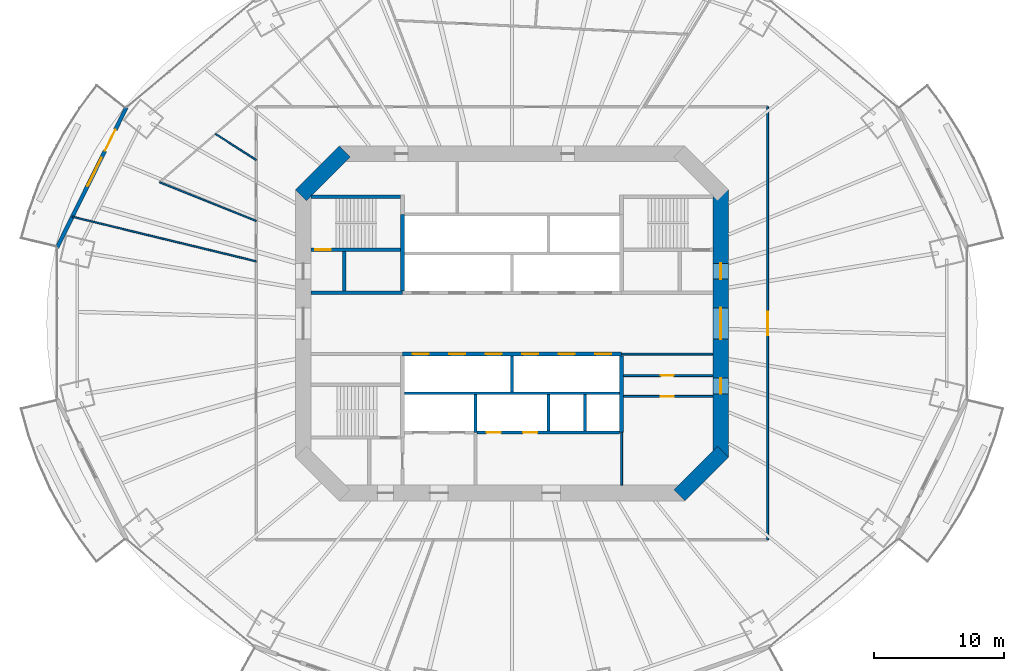
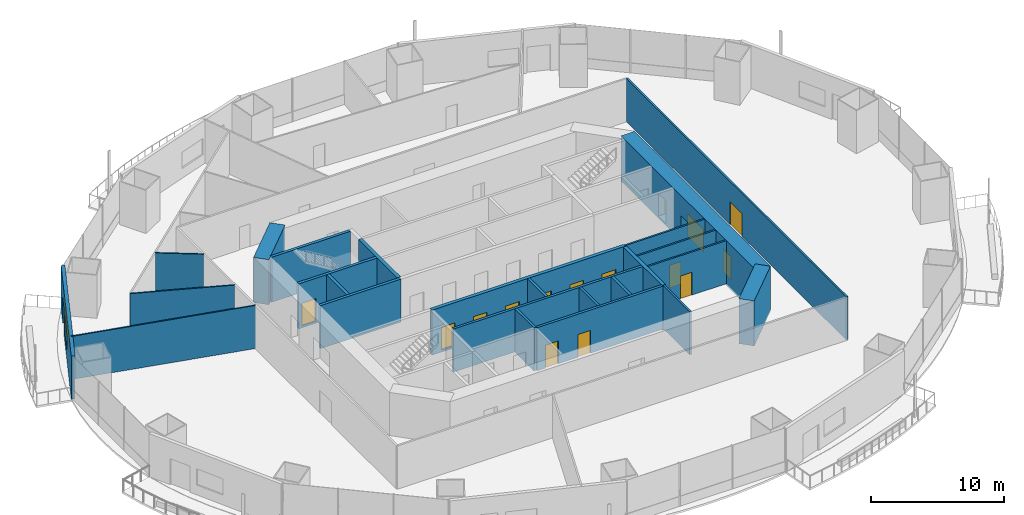
# One storey, part 14 of 22: 25 walls, 16 doors, 1 window, 17 openings.
"""IFC4 building model written with IfcOpenShell, lengths in metres."""

from ifc_helpers import new_model, si_unit, direction, frame, frame_2d, origin, place, context, subcontext, project, spatial, rectangle, extrude, material, layer, layer_set, type_object, element, fill, save


model = new_model("IFC4")

# Units and contexts
model_context = context("Model", 3, precision=1e-05, world=origin(), true_north=direction((0.0, 1.0)))
body_context = subcontext(model_context, "Body", "Model", "MODEL_VIEW")
ifc_project = project(units=[si_unit("LENGTHUNIT", "METRE"), si_unit("AREAUNIT", "SQUARE_METRE"), si_unit("VOLUMEUNIT", "CUBIC_METRE"), si_unit("PLANEANGLEUNIT", "RADIAN"), si_unit("MASSUNIT", "GRAM", prefix="KILO")], contexts=[model_context])

# Site, building, storey
site_placement = place(None, origin())
site = spatial("IfcSite", under=ifc_project, at=site_placement, CompositionType="ELEMENT")
building_placement = place(site_placement, origin())
building = spatial("IfcBuilding", under=site, at=building_placement, Name="Marenthal Gate Tower", CompositionType="ELEMENT")
storey_placement = place(building_placement, frame((0.0, 0.0, 78.64990234375)))
storey = spatial("IfcBuildingStorey", under=building, at=storey_placement, Name="L15", CompositionType="ELEMENT", Elevation=78.64990234375)

# Wall
ifc_material_1 = material(Name="Concrete 60 MPa", Category="concrete")
ifc_layer_1 = layer(ifc_material_1, 1.199951171875)
ifc_layer_set_1 = layer_set([ifc_layer_1], Name="Core shear wall 1200")
wall_type_1 = type_object("IfcWallType", Name="Core shear wall 1200", PredefinedType="SHEAR", material=ifc_layer_set_1)
wall_1_placement = place(storey_placement, frame((12.82421875, -13.17578125, -0.179931640625), z_axis=(0.0, 0.0, 1.0), x_axis=(0.707106781187, 0.707106781187, 0.0)))
element("IfcWall", 1, at=wall_1_placement, inside=storey, type_object=wall_type_1, Name="Core wall 01", PredefinedType="SHEAR", context=body_context, shape_type="SweptSolid", body=[
    extrude(rectangle(XDim=4.73974609375, YDim=1.199951171875, at=frame_2d((2.369873046875, 0.0))), origin(), (0.0, 0.0, 1.0), 4.150146484375),
])

# Wall, openings, doors
wall_2_placement = place(storey_placement, frame((16.0, -10.24853515625, -0.179931640625), z_axis=(0.0, 0.0, 1.0), x_axis=(0.0, 1.0, 0.0)))
wall_2 = element("IfcWall", 2, at=wall_2_placement, inside=storey, type_object=wall_type_1, Name="Core wall 02", PredefinedType="SHEAR", context=body_context, shape_type="SweptSolid", body=[
    extrude(rectangle(XDim=20.4970703125, YDim=1.199951171875, at=frame_2d((10.24853515625, 0.0))), origin(), (0.0, 0.0, 1.0), 4.150146484375),
])
opening_1_placement = place(wall_2_placement, frame((9.048583984375, 0.0, 0.179931640625)))
opening_1 = element("IfcOpeningElement", 3, at=opening_1_placement, cuts=wall_2, Name="Opening D003.02", PredefinedType="OPENING", context=body_context, shape_type="SweptSolid", body=[
    extrude(rectangle(XDim=2.39990234375, YDim=2.10009765625, at=frame_2d((1.199951171875, 1.050048828125))), frame((0.0, 0.60986328125, 0.0), z_axis=(0.0, -1.0, 0.0), x_axis=(1.0, 0.0, 0.0)), (0.0, 0.0, 1.0), 1.219970703125),
])
opening_2_placement = place(wall_2_placement, frame((13.6484375, 0.0, 0.179931640625)))
opening_2 = element("IfcOpeningElement", 4, at=opening_2_placement, cuts=wall_2, Name="Opening D001.05", PredefinedType="OPENING", context=body_context, shape_type="SweptSolid", body=[
    extrude(rectangle(XDim=1.199951171875, YDim=2.10009765625, at=frame_2d((0.60009765625, 1.050048828125))), frame((0.0, 0.60986328125, 0.0), z_axis=(0.0, -1.0, 0.0), x_axis=(1.0, 0.0, 0.0)), (0.0, 0.0, 1.0), 1.219970703125),
])
opening_3_placement = place(wall_2_placement, frame((4.848388671875, 0.0, 0.179931640625)))
opening_3 = element("IfcOpeningElement", 5, at=opening_3_placement, cuts=wall_2, Name="Opening D006.01", PredefinedType="OPENING", context=body_context, shape_type="SweptSolid", body=[
    extrude(rectangle(XDim=1.199951171875, YDim=2.10009765625, at=frame_2d((0.60009765625, 1.050048828125))), frame((0.0, 0.60986328125, 0.0), z_axis=(0.0, -1.0, 0.0), x_axis=(1.0, 0.0, 0.0)), (0.0, 0.0, 1.0), 1.219970703125),
])
ifc_material_2 = material(Name="Steel fire door", Category="steel")
door_type_1 = type_object("IfcDoorType", Name="Double fire door FD 45 2400 x 2100", OperationType="DOUBLE_DOOR_SINGLE_SWING", PredefinedType="DOOR", material=ifc_material_2)
door_1_placement = place(opening_1_placement, origin())
door_1 = element("IfcDoor", 6, at=door_1_placement, inside=storey, type_object=door_type_1, Name="Door D003.02", OperationType="DOUBLE_DOOR_SINGLE_SWING", OverallHeight=2.10009765625, OverallWidth=2.39990234375, PredefinedType="DOOR", context=body_context, shape_type="SweptSolid", body=[
    extrude(rectangle(XDim=2.39990234375, YDim=2.10009765625, at=frame_2d((1.199951171875, 1.050048828125))), frame((0.0, 0.02490234375, 0.0), z_axis=(0.0, -1.0, 0.0), x_axis=(1.0, 0.0, 0.0)), (0.0, 0.0, 1.0), 0.050048828125),
])
fill(opening_1, door_1)
ifc_material_3 = material(Name="Steel fire door", Category="steel")
door_type_2 = type_object("IfcDoorType", Name="Fire door FD 45 1200 x 2100", OperationType="NOTDEFINED", PredefinedType="DOOR", material=ifc_material_3)
door_2_placement = place(opening_3_placement, origin())
door_2 = element("IfcDoor", 7, at=door_2_placement, inside=storey, type_object=door_type_2, Name="Door D006.01", OperationType="SINGLE_SWING_RIGHT", OverallHeight=2.10009765625, OverallWidth=1.199951171875, PredefinedType="DOOR", context=body_context, shape_type="SweptSolid", body=[
    extrude(rectangle(XDim=1.199951171875, YDim=2.10009765625, at=frame_2d((0.60009765625, 1.050048828125))), frame((0.0, 0.02490234375, 0.0), z_axis=(0.0, -1.0, 0.0), x_axis=(1.0, 0.0, 0.0)), (0.0, 0.0, 1.0), 0.050048828125),
])
fill(opening_3, door_2)
ifc_material_4 = material(Name="Steel fire door", Category="steel")
door_type_3 = type_object("IfcDoorType", Name="Fire door FD 90 1200 x 2100", OperationType="NOTDEFINED", PredefinedType="DOOR", material=ifc_material_4)
door_3_placement = place(opening_2_placement, origin())
door_3 = element("IfcDoor", 8, at=door_3_placement, inside=storey, type_object=door_type_3, Name="Door D001.05", OperationType="SINGLE_SWING_RIGHT", OverallHeight=2.10009765625, OverallWidth=1.199951171875, PredefinedType="DOOR", context=body_context, shape_type="SweptSolid", body=[
    extrude(rectangle(XDim=1.199951171875, YDim=2.10009765625, at=frame_2d((0.60009765625, 1.050048828125))), frame((0.0, 0.02490234375, 0.0), z_axis=(0.0, -1.0, 0.0), x_axis=(1.0, 0.0, 0.0)), (0.0, 0.0, 1.0), 0.050048828125),
])
fill(opening_2, door_3)

# Wall
wall_3_placement = place(storey_placement, frame((-12.82421875, 13.17578125, -0.179931640625), z_axis=(0.0, 0.0, 1.0), x_axis=(-0.707106781187, -0.707106781187, 0.0)))
element("IfcWall", 9, at=wall_3_placement, inside=storey, type_object=wall_type_1, Name="Core wall 05", PredefinedType="SHEAR", context=body_context, shape_type="SweptSolid", body=[
    extrude(rectangle(XDim=4.73974609375, YDim=1.199951171875, at=frame_2d((2.369873046875, 0.0))), origin(), (0.0, 0.0, 1.0), 4.150146484375),
])

# Wall, openings, doors
ifc_material_5 = material(Name="Concrete 50 MPa", Category="concrete")
ifc_layer_2 = layer(ifc_material_5, 0.300048828125)
ifc_layer_set_2 = layer_set([ifc_layer_2], Name="Hoistway shear wall 300")
wall_type_2 = type_object("IfcWallType", Name="Hoistway shear wall 300", PredefinedType="SHEAR", material=ifc_layer_set_2)
wall_4_placement = place(storey_placement, frame((-8.39990234375, -2.35009765625, -0.179931640625), z_axis=(0.0, 0.0, 1.0), x_axis=(1.0, 0.0, 0.0)))
wall_4 = element("IfcWall", 10, at=wall_4_placement, inside=storey, type_object=wall_type_2, Name="Hoistway wall 17", PredefinedType="SHEAR", context=body_context, shape_type="SweptSolid", body=[
    extrude(rectangle(XDim=16.7998046875, YDim=0.300048828125, at=frame_2d((8.39990234375, 0.0))), origin(), (0.0, 0.0, 1.0), 4.150146484375),
])
opening_4_placement = place(wall_4_placement, frame((0.800048828125, 0.0, 0.179931640625)))
opening_4 = element("IfcOpeningElement", 11, at=opening_4_placement, cuts=wall_4, Name="Opening LD-LP7", PredefinedType="OPENING", context=body_context, shape_type="SweptSolid", body=[
    extrude(rectangle(XDim=1.199951171875, YDim=2.10009765625, at=frame_2d((0.60009765625, 1.050048828125))), frame((0.0, 0.16015625, 0.0), z_axis=(0.0, -1.0, 0.0), x_axis=(1.0, 0.0, 0.0)), (0.0, 0.0, 1.0), 0.320068359375),
])
opening_5_placement = place(wall_4_placement, frame((3.60009765625, 0.0, 0.179931640625)))
opening_5 = element("IfcOpeningElement", 12, at=opening_5_placement, cuts=wall_4, Name="Opening LD-LP8", PredefinedType="OPENING", context=body_context, shape_type="SweptSolid", body=[
    extrude(rectangle(XDim=1.199951171875, YDim=2.10009765625, at=frame_2d((0.60009765625, 1.050048828125))), frame((0.0, 0.16015625, 0.0), z_axis=(0.0, -1.0, 0.0), x_axis=(1.0, 0.0, 0.0)), (0.0, 0.0, 1.0), 0.320068359375),
])
opening_6_placement = place(wall_4_placement, frame((6.39990234375, 0.0, 0.179931640625)))
opening_6 = element("IfcOpeningElement", 13, at=opening_6_placement, cuts=wall_4, Name="Opening LD-LP9", PredefinedType="OPENING", context=body_context, shape_type="SweptSolid", body=[
    extrude(rectangle(XDim=1.199951171875, YDim=2.10009765625, at=frame_2d((0.60009765625, 1.050048828125))), frame((0.0, 0.16015625, 0.0), z_axis=(0.0, -1.0, 0.0), x_axis=(1.0, 0.0, 0.0)), (0.0, 0.0, 1.0), 0.320068359375),
])
opening_7_placement = place(wall_4_placement, frame((9.199951171875, 0.0, 0.179931640625)))
opening_7 = element("IfcOpeningElement", 14, at=opening_7_placement, cuts=wall_4, Name="Opening LD-LP10", PredefinedType="OPENING", context=body_context, shape_type="SweptSolid", body=[
    extrude(rectangle(XDim=1.199951171875, YDim=2.10009765625, at=frame_2d((0.60009765625, 1.050048828125))), frame((0.0, 0.16015625, 0.0), z_axis=(0.0, -1.0, 0.0), x_axis=(1.0, 0.0, 0.0)), (0.0, 0.0, 1.0), 0.320068359375),
])
opening_8_placement = place(wall_4_placement, frame((12.0, 0.0, 0.179931640625)))
opening_8 = element("IfcOpeningElement", 15, at=opening_8_placement, cuts=wall_4, Name="Opening LD-LP11", PredefinedType="OPENING", context=body_context, shape_type="SweptSolid", body=[
    extrude(rectangle(XDim=1.199951171875, YDim=2.10009765625, at=frame_2d((0.60009765625, 1.050048828125))), frame((0.0, 0.16015625, 0.0), z_axis=(0.0, -1.0, 0.0), x_axis=(1.0, 0.0, 0.0)), (0.0, 0.0, 1.0), 0.320068359375),
])
opening_9_placement = place(wall_4_placement, frame((14.800048828125, 0.0, 0.179931640625)))
opening_9 = element("IfcOpeningElement", 16, at=opening_9_placement, cuts=wall_4, Name="Opening LD-LP12", PredefinedType="OPENING", context=body_context, shape_type="SweptSolid", body=[
    extrude(rectangle(XDim=1.199951171875, YDim=2.10009765625, at=frame_2d((0.60009765625, 1.050048828125))), frame((0.0, 0.16015625, 0.0), z_axis=(0.0, -1.0, 0.0), x_axis=(1.0, 0.0, 0.0)), (0.0, 0.0, 1.0), 0.320068359375),
])
ifc_material_6 = material(Name="Stainless steel sliding door", Category="steel")
door_type_4 = type_object("IfcDoorType", Name="Lift landing door FD 90 1200 x 2100", OperationType="DOUBLE_DOOR_SLIDING", PredefinedType="DOOR", material=ifc_material_6)
door_4_placement = place(opening_4_placement, origin())
door_4 = element("IfcDoor", 17, at=door_4_placement, inside=storey, type_object=door_type_4, Name="Lift landing door LP7", OperationType="DOUBLE_DOOR_SLIDING", OverallHeight=2.10009765625, OverallWidth=1.199951171875, PredefinedType="DOOR", context=body_context, shape_type="SweptSolid", body=[
    extrude(rectangle(XDim=1.199951171875, YDim=2.10009765625, at=frame_2d((0.60009765625, 1.050048828125))), frame((0.0, 0.02490234375, 0.0), z_axis=(0.0, -1.0, 0.0), x_axis=(1.0, 0.0, 0.0)), (0.0, 0.0, 1.0), 0.050048828125),
])
fill(opening_4, door_4)
door_5_placement = place(opening_5_placement, origin())
door_5 = element("IfcDoor", 18, at=door_5_placement, inside=storey, type_object=door_type_4, Name="Lift landing door LP8", OperationType="DOUBLE_DOOR_SLIDING", OverallHeight=2.10009765625, OverallWidth=1.199951171875, PredefinedType="DOOR", context=body_context, shape_type="SweptSolid", body=[
    extrude(rectangle(XDim=1.199951171875, YDim=2.10009765625, at=frame_2d((0.60009765625, 1.050048828125))), frame((0.0, 0.02490234375, 0.0), z_axis=(0.0, -1.0, 0.0), x_axis=(1.0, 0.0, 0.0)), (0.0, 0.0, 1.0), 0.050048828125),
])
fill(opening_5, door_5)
door_6_placement = place(opening_6_placement, origin())
door_6 = element("IfcDoor", 19, at=door_6_placement, inside=storey, type_object=door_type_4, Name="Lift landing door LP9", OperationType="DOUBLE_DOOR_SLIDING", OverallHeight=2.10009765625, OverallWidth=1.199951171875, PredefinedType="DOOR", context=body_context, shape_type="SweptSolid", body=[
    extrude(rectangle(XDim=1.199951171875, YDim=2.10009765625, at=frame_2d((0.60009765625, 1.050048828125))), frame((0.0, 0.02490234375, 0.0), z_axis=(0.0, -1.0, 0.0), x_axis=(1.0, 0.0, 0.0)), (0.0, 0.0, 1.0), 0.050048828125),
])
fill(opening_6, door_6)
door_7_placement = place(opening_7_placement, origin())
door_7 = element("IfcDoor", 20, at=door_7_placement, inside=storey, type_object=door_type_4, Name="Lift landing door LP10", OperationType="DOUBLE_DOOR_SLIDING", OverallHeight=2.10009765625, OverallWidth=1.199951171875, PredefinedType="DOOR", context=body_context, shape_type="SweptSolid", body=[
    extrude(rectangle(XDim=1.199951171875, YDim=2.10009765625, at=frame_2d((0.60009765625, 1.050048828125))), frame((0.0, 0.02490234375, 0.0), z_axis=(0.0, -1.0, 0.0), x_axis=(1.0, 0.0, 0.0)), (0.0, 0.0, 1.0), 0.050048828125),
])
fill(opening_7, door_7)
door_8_placement = place(opening_8_placement, origin())
door_8 = element("IfcDoor", 21, at=door_8_placement, inside=storey, type_object=door_type_4, Name="Lift landing door LP11", OperationType="DOUBLE_DOOR_SLIDING", OverallHeight=2.10009765625, OverallWidth=1.199951171875, PredefinedType="DOOR", context=body_context, shape_type="SweptSolid", body=[
    extrude(rectangle(XDim=1.199951171875, YDim=2.10009765625, at=frame_2d((0.60009765625, 1.050048828125))), frame((0.0, 0.02490234375, 0.0), z_axis=(0.0, -1.0, 0.0), x_axis=(1.0, 0.0, 0.0)), (0.0, 0.0, 1.0), 0.050048828125),
])
fill(opening_8, door_8)
door_9_placement = place(opening_9_placement, origin())
door_9 = element("IfcDoor", 22, at=door_9_placement, inside=storey, type_object=door_type_4, Name="Lift landing door LP12", OperationType="DOUBLE_DOOR_SLIDING", OverallHeight=2.10009765625, OverallWidth=1.199951171875, PredefinedType="DOOR", context=body_context, shape_type="SweptSolid", body=[
    extrude(rectangle(XDim=1.199951171875, YDim=2.10009765625, at=frame_2d((0.60009765625, 1.050048828125))), frame((0.0, 0.02490234375, 0.0), z_axis=(0.0, -1.0, 0.0), x_axis=(1.0, 0.0, 0.0)), (0.0, 0.0, 1.0), 0.050048828125),
])
fill(opening_9, door_9)

# Walls
for number, where, z_axis, x_axis, name in (
    (23, (-8.39990234375, 2.5, -0.179931640625), (0.0, 0.0, 1.0), (0.0, 1.0, 0.0), "Hoistway wall 32"),
    (24, (8.39990234375, -8.35009765625, -0.179931640625), (0.0, 0.0, 1.0), (0.0, 1.0, 0.0), "Hoistway wall 43"),
):
    element("IfcWall", number, at=place(storey_placement, frame(where, z_axis=z_axis, x_axis=x_axis)), inside=storey, type_object=wall_type_2, Name=name, PredefinedType="SHEAR", context=body_context, shape_type="SweptSolid", body=[
        extrude(rectangle(XDim=5.85009765625, YDim=0.300048828125, at=frame_2d((2.925048828125, 0.0))), origin(), (0.0, 0.0, 1.0), 4.150146484375),
    ])

# Wall, openings, doors
ifc_material_7 = material(Name="Concrete 40 MPa", Category="concrete")
ifc_layer_3 = layer(ifc_material_7, 0.219970703125)
ifc_layer_set_3 = layer_set([ifc_layer_3], Name="Hoistway wall 220")
wall_type_3 = type_object("IfcWallType", Name="Hoistway wall 220", PredefinedType="STANDARD", material=ifc_layer_set_3)
wall_5_placement = place(storey_placement, frame((-2.68994140625, -8.35009765625, 0.0), z_axis=(0.0, 0.0, 1.0), x_axis=(1.0, 0.0, 0.0)))
wall_5 = element("IfcWall", 25, at=wall_5_placement, inside=storey, type_object=wall_type_3, Name="Hoistway wall 11", PredefinedType="STANDARD", context=body_context, shape_type="SweptSolid", body=[
    extrude(rectangle(XDim=10.93994140625, YDim=0.219970703125, at=frame_2d((5.469970703125, 0.0))), origin(), (0.0, 0.0, 1.0), 3.97021484375),
])
opening_10_placement = place(wall_5_placement, frame((0.739990234375, 0.0, 0.0)))
opening_10 = element("IfcOpeningElement", 26, at=opening_10_placement, cuts=wall_5, Name="Opening LD-SV1", PredefinedType="OPENING", context=body_context, shape_type="SweptSolid", body=[
    extrude(rectangle(XDim=1.10009765625, YDim=2.10009765625, at=frame_2d((0.550048828125, 1.050048828125))), frame((0.0, 0.1201171875, 0.0), z_axis=(0.0, -1.0, 0.0), x_axis=(1.0, 0.0, 0.0)), (0.0, 0.0, 1.0), 0.239990234375),
])
opening_11_placement = place(wall_5_placement, frame((3.5400390625, 0.0, 0.0)))
opening_11 = element("IfcOpeningElement", 27, at=opening_11_placement, cuts=wall_5, Name="Opening LD-SV2", PredefinedType="OPENING", context=body_context, shape_type="SweptSolid", body=[
    extrude(rectangle(XDim=1.10009765625, YDim=2.10009765625, at=frame_2d((0.550048828125, 1.050048828125))), frame((0.0, 0.1201171875, 0.0), z_axis=(0.0, -1.0, 0.0), x_axis=(1.0, 0.0, 0.0)), (0.0, 0.0, 1.0), 0.239990234375),
])
ifc_material_8 = material(Name="Stainless steel sliding door", Category="steel")
door_type_5 = type_object("IfcDoorType", Name="Lift landing door FD 90 1100 x 2100", OperationType="DOUBLE_DOOR_SLIDING", PredefinedType="DOOR", material=ifc_material_8)
door_10_placement = place(opening_10_placement, origin())
door_10 = element("IfcDoor", 28, at=door_10_placement, inside=storey, type_object=door_type_5, Name="Lift landing door SV1", OperationType="DOUBLE_DOOR_SLIDING", OverallHeight=2.10009765625, OverallWidth=1.10009765625, PredefinedType="DOOR", context=body_context, shape_type="SweptSolid", body=[
    extrude(rectangle(XDim=1.10009765625, YDim=2.10009765625, at=frame_2d((0.550048828125, 1.050048828125))), frame((0.0, 0.02490234375, 0.0), z_axis=(0.0, -1.0, 0.0), x_axis=(1.0, 0.0, 0.0)), (0.0, 0.0, 1.0), 0.050048828125),
])
fill(opening_10, door_10)
door_11_placement = place(opening_11_placement, origin())
door_11 = element("IfcDoor", 29, at=door_11_placement, inside=storey, type_object=door_type_5, Name="Lift landing door SV2", OperationType="DOUBLE_DOOR_SLIDING", OverallHeight=2.10009765625, OverallWidth=1.10009765625, PredefinedType="DOOR", context=body_context, shape_type="SweptSolid", body=[
    extrude(rectangle(XDim=1.10009765625, YDim=2.10009765625, at=frame_2d((0.550048828125, 1.050048828125))), frame((0.0, 0.02490234375, 0.0), z_axis=(0.0, -1.0, 0.0), x_axis=(1.0, 0.0, 0.0)), (0.0, 0.0, 1.0), 0.050048828125),
])
fill(opening_11, door_11)

# Walls
wall_6_placement = place(storey_placement, frame((-8.25, -5.35009765625, 0.0), z_axis=(0.0, 0.0, 1.0), x_axis=(1.0, 0.0, 0.0)))
element("IfcWall", 30, at=wall_6_placement, inside=storey, type_object=wall_type_3, Name="Hoistway wall 13", PredefinedType="STANDARD", context=body_context, shape_type="SweptSolid", body=[
    extrude(rectangle(XDim=16.5, YDim=0.219970703125, at=frame_2d((8.25, 0.0))), origin(), (0.0, 0.0, 1.0), 3.97021484375),
])
wall_7_placement = place(storey_placement, frame((-2.800048828125, -8.35009765625, 0.0), z_axis=(0.0, 0.0, 1.0), x_axis=(0.0, 1.0, 0.0)))
element("IfcWall", 31, at=wall_7_placement, inside=storey, type_object=wall_type_3, Name="Hoistway wall 36", PredefinedType="STANDARD", context=body_context, shape_type="SweptSolid", body=[
    extrude(rectangle(XDim=2.89013671875, YDim=0.219970703125, at=frame_2d((1.445068359375, 0.0))), origin(), (0.0, 0.0, 1.0), 3.97021484375),
])
wall_8_placement = place(storey_placement, frame((0.0, -5.239990234375, 0.0), z_axis=(0.0, 0.0, 1.0), x_axis=(0.0, 1.0, 0.0)))
element("IfcWall", 32, at=wall_8_placement, inside=storey, type_object=wall_type_3, Name="Hoistway wall 37", PredefinedType="STANDARD", context=body_context, shape_type="SweptSolid", body=[
    extrude(rectangle(XDim=2.739990234375, YDim=0.219970703125, at=frame_2d((1.3701171875, 0.0))), origin(), (0.0, 0.0, 1.0), 3.97021484375),
])
for number, where, z_axis, x_axis, name in (
    (33, (2.800048828125, -8.239990234375, 0.0), (0.0, 0.0, 1.0), (0.0, 1.0, 0.0), "Hoistway wall 39"),
    (34, (5.60009765625, -8.239990234375, 0.0), (0.0, 0.0, 1.0), (0.0, 1.0, 0.0), "Hoistway wall 41"),
):
    element("IfcWall", number, at=place(storey_placement, frame(where, z_axis=z_axis, x_axis=x_axis)), inside=storey, type_object=wall_type_3, Name=name, PredefinedType="STANDARD", context=body_context, shape_type="SweptSolid", body=[
        extrude(rectangle(XDim=2.780029296875, YDim=0.219970703125, at=frame_2d((1.39013671875, 0.0))), origin(), (0.0, 0.0, 1.0), 3.97021484375),
    ])
ifc_material_9 = material(Name="Gypsum board on steel studs", Category="steel")
ifc_layer_4 = layer(ifc_material_9, 0.1201171875)
ifc_layer_set_4 = layer_set([ifc_layer_4], Name="Partition 120")
wall_type_4 = type_object("IfcWallType", Name="Partition 120", PredefinedType="PARTITIONING", material=ifc_layer_set_4)
wall_9_placement = place(storey_placement, frame((-27.022705078125, 10.81884765625, 0.0), z_axis=(0.0, 0.0, 1.0), x_axis=(0.928362929912, -0.371674952567, 0.0)))
element("IfcWall", 35, at=wall_9_placement, inside=storey, type_object=wall_type_4, Name="Partition wall 47", PredefinedType="PARTITIONING", context=body_context, shape_type="SweptSolid", body=[
    extrude(rectangle(XDim=7.995361328125, YDim=0.1201171875, at=frame_2d((3.99755859375, 0.0))), origin(), (0.0, 0.0, 1.0), 3.97021484375),
])
wall_10_placement = place(storey_placement, frame((-22.728515625, 14.52392578125, 0.0), z_axis=(0.0, 0.0, 1.0), x_axis=(0.842658134486, -0.538448946869, 0.0)))
element("IfcWall", 36, at=wall_10_placement, inside=storey, type_object=wall_type_4, Name="Partition wall 48", PredefinedType="PARTITIONING", context=body_context, shape_type="SweptSolid", body=[
    extrude(rectangle(XDim=3.712646484375, YDim=0.1201171875, at=frame_2d((1.8564453125, 0.0))), origin(), (0.0, 0.0, 1.0), 3.97021484375),
])
wall_11_placement = place(storey_placement, frame((-19.60009765625, 4.755126953125, 0.0), z_axis=(0.0, 0.0, 1.0), x_axis=(-0.971812383282, 0.235755576178, 0.0)))
element("IfcWall", 37, at=wall_11_placement, inside=storey, type_object=wall_type_4, Name="Partition wall 50", PredefinedType="PARTITIONING", context=body_context, shape_type="SweptSolid", body=[
    extrude(rectangle(XDim=14.50927734375, YDim=0.1201171875, at=frame_2d((7.254638671875, 0.0))), origin(), (0.0, 0.0, 1.0), 3.97021484375),
])

# Wall, opening, door
ifc_material_10 = material(Name="Gypsum board on steel studs", Category="steel")
ifc_layer_5 = layer(ifc_material_10, 0.14990234375)
ifc_layer_set_5 = layer_set([ifc_layer_5], Name="Partition 150")
wall_type_5 = type_object("IfcWallType", Name="Partition 150", PredefinedType="PARTITIONING", material=ifc_layer_set_5)
wall_12_placement = place(storey_placement, frame((8.550048828125, -5.60009765625, 0.0), z_axis=(0.0, 0.0, 1.0), x_axis=(1.0, 0.0, 0.0)))
wall_12 = element("IfcWall", 38, at=wall_12_placement, inside=storey, type_object=wall_type_5, Name="Partition wall 12", PredefinedType="PARTITIONING", context=body_context, shape_type="SweptSolid", body=[
    extrude(rectangle(XDim=6.849853515625, YDim=0.14990234375, at=frame_2d((3.4248046875, 0.0))), origin(), (0.0, 0.0, 1.0), 3.97021484375),
])
opening_12_placement = place(wall_12_placement, frame((2.85009765625, 0.0, 0.0)))
opening_12 = element("IfcOpeningElement", 39, at=opening_12_placement, cuts=wall_12, Name="Opening D005.04", PredefinedType="OPENING", context=body_context, shape_type="SweptSolid", body=[
    extrude(rectangle(XDim=1.0, YDim=2.10009765625, at=frame_2d((0.5, 1.050048828125))), frame((0.0, 0.0849609375, 0.0), z_axis=(0.0, -1.0, 0.0), x_axis=(1.0, 0.0, 0.0)), (0.0, 0.0, 1.0), 0.169921875),
])
ifc_material_11 = material(Name="Steel fire door", Category="steel")
door_type_6 = type_object("IfcDoorType", Name="Fire door FD 45 1000 x 2100", OperationType="NOTDEFINED", PredefinedType="DOOR", material=ifc_material_11)
door_12_placement = place(opening_12_placement, frame((1.0, 0.0, 0.0), z_axis=(0.0, 0.0, 1.0), x_axis=(-1.0, 0.0, 0.0)))
door_12 = element("IfcDoor", 40, at=door_12_placement, inside=storey, type_object=door_type_6, Name="Door D005.04", OperationType="SINGLE_SWING_LEFT", OverallHeight=2.10009765625, OverallWidth=1.0, PredefinedType="DOOR", context=body_context, shape_type="SweptSolid", body=[
    extrude(rectangle(XDim=1.0, YDim=2.10009765625, at=frame_2d((0.5, 1.050048828125))), frame((0.0, 0.02490234375, 0.0), z_axis=(0.0, -1.0, 0.0), x_axis=(1.0, 0.0, 0.0)), (0.0, 0.0, 1.0), 0.050048828125),
])
fill(opening_12, door_12)

wall_13_placement = place(storey_placement, frame((8.550048828125, -4.0, 0.0), z_axis=(0.0, 0.0, 1.0), x_axis=(1.0, 0.0, 0.0)))
wall_13 = element("IfcWall", 41, at=wall_13_placement, inside=storey, type_object=wall_type_5, Name="Partition wall 15", PredefinedType="PARTITIONING", context=body_context, shape_type="SweptSolid", body=[
    extrude(rectangle(XDim=6.849853515625, YDim=0.14990234375, at=frame_2d((3.4248046875, 0.0))), origin(), (0.0, 0.0, 1.0), 3.97021484375),
])
opening_13_placement = place(wall_13_placement, frame((2.85009765625, 0.0, 0.0)))
opening_13 = element("IfcOpeningElement", 42, at=opening_13_placement, cuts=wall_13, Name="Opening D005.03", PredefinedType="OPENING", context=body_context, shape_type="SweptSolid", body=[
    extrude(rectangle(XDim=1.0, YDim=2.10009765625, at=frame_2d((0.5, 1.050048828125))), frame((0.0, 0.0849609375, 0.0), z_axis=(0.0, -1.0, 0.0), x_axis=(1.0, 0.0, 0.0)), (0.0, 0.0, 1.0), 0.169921875),
])
door_13_placement = place(opening_13_placement, origin())
door_13 = element("IfcDoor", 43, at=door_13_placement, inside=storey, type_object=door_type_6, Name="Door D005.03", OperationType="SINGLE_SWING_RIGHT", OverallHeight=2.10009765625, OverallWidth=1.0, PredefinedType="DOOR", context=body_context, shape_type="SweptSolid", body=[
    extrude(rectangle(XDim=1.0, YDim=2.10009765625, at=frame_2d((0.5, 1.050048828125))), frame((0.0, 0.02490234375, 0.0), z_axis=(0.0, -1.0, 0.0), x_axis=(1.0, 0.0, 0.0)), (0.0, 0.0, 1.0), 0.050048828125),
])
fill(opening_13, door_13)

# Walls
wall_14_placement = place(storey_placement, frame((8.39990234375, -2.35009765625, 0.0), z_axis=(0.0, 0.0, 1.0), x_axis=(1.0, 0.0, 0.0)))
element("IfcWall", 44, at=wall_14_placement, inside=storey, type_object=wall_type_5, Name="Partition wall 18", PredefinedType="PARTITIONING", context=body_context, shape_type="SweptSolid", body=[
    extrude(rectangle(XDim=7.0, YDim=0.14990234375, at=frame_2d((3.5, 0.0))), origin(), (0.0, 0.0, 1.0), 3.97021484375),
])
wall_15_placement = place(storey_placement, frame((8.39990234375, -12.39990234375, 0.0), z_axis=(0.0, 0.0, 1.0), x_axis=(0.0, 1.0, 0.0)))
element("IfcWall", 45, at=wall_15_placement, inside=storey, type_object=wall_type_5, Name="Partition wall 42", PredefinedType="PARTITIONING", context=body_context, shape_type="SweptSolid", body=[
    extrude(rectangle(XDim=4.0498046875, YDim=0.14990234375, at=frame_2d((2.02490234375, 0.0))), origin(), (0.0, 0.0, 1.0), 3.97021484375),
])

# Wall, opening, door
wall_16_placement = place(storey_placement, frame((19.60009765625, 16.60009765625, 0.0), z_axis=(0.0, 0.0, 1.0), x_axis=(0.0, -1.0, 0.0)))
wall_16 = element("IfcWall", 46, at=wall_16_placement, inside=storey, type_object=wall_type_5, Name="Partition wall 61", PredefinedType="PARTITIONING", context=body_context, shape_type="SweptSolid", body=[
    extrude(rectangle(XDim=33.2001953125, YDim=0.14990234375, at=frame_2d((16.60009765625, 0.0))), origin(), (0.0, 0.0, 1.0), 3.97021484375),
])
opening_14_placement = place(wall_16_placement, frame((15.699951171875, 0.0, 0.0)))
opening_14 = element("IfcOpeningElement", 47, at=opening_14_placement, cuts=wall_16, Name="Opening D014.03", PredefinedType="OPENING", context=body_context, shape_type="SweptSolid", body=[
    extrude(rectangle(XDim=1.800048828125, YDim=2.10009765625, at=frame_2d((0.89990234375, 1.050048828125))), frame((0.0, 0.0849609375, 0.0), z_axis=(0.0, -1.0, 0.0), x_axis=(1.0, 0.0, 0.0)), (0.0, 0.0, 1.0), 0.169921875),
])
ifc_material_12 = material(Name="Timber door", Category="wood")
door_type_7 = type_object("IfcDoorType", Name="Double door 1800 x 2100", OperationType="DOUBLE_DOOR_SINGLE_SWING", PredefinedType="DOOR", material=ifc_material_12)
door_14_placement = place(opening_14_placement, origin())
door_14 = element("IfcDoor", 48, at=door_14_placement, inside=storey, type_object=door_type_7, Name="Door D014.03", OperationType="DOUBLE_DOOR_SINGLE_SWING", OverallHeight=2.10009765625, OverallWidth=1.800048828125, PredefinedType="DOOR", context=body_context, shape_type="SweptSolid", body=[
    extrude(rectangle(XDim=1.800048828125, YDim=2.10009765625, at=frame_2d((0.89990234375, 1.050048828125))), frame((0.0, 0.02490234375, 0.0), z_axis=(0.0, -1.0, 0.0), x_axis=(1.0, 0.0, 0.0)), (0.0, 0.0, 1.0), 0.050048828125),
])
fill(opening_14, door_14)

# Walls
ifc_material_13 = material(Name="Concrete 40 MPa", Category="concrete")
ifc_layer_6 = layer(ifc_material_13, 0.25)
ifc_layer_set_6 = layer_set([ifc_layer_6], Name="Stair enclosure wall 250")
wall_type_6 = type_object("IfcWallType", Name="Stair enclosure wall 250", PredefinedType="STANDARD", material=ifc_layer_set_6)
wall_17_placement = place(storey_placement, frame((-15.39990234375, 2.35009765625, 0.0), z_axis=(0.0, 0.0, 1.0), x_axis=(1.0, 0.0, 0.0)))
element("IfcWall", 49, at=wall_17_placement, inside=storey, type_object=wall_type_6, Name="Stair wall 19", PredefinedType="STANDARD", context=body_context, shape_type="SweptSolid", body=[
    extrude(rectangle(XDim=7.0, YDim=0.25, at=frame_2d((3.5, 0.0))), origin(), (0.0, 0.0, 1.0), 3.97021484375),
])
wall_18_placement = place(storey_placement, frame((-12.85009765625, 2.47509765625, 0.0), z_axis=(0.0, 0.0, 1.0), x_axis=(0.0, 1.0, 0.0)))
element("IfcWall", 50, at=wall_18_placement, inside=storey, type_object=wall_type_6, Name="Stair wall 28", PredefinedType="STANDARD", context=body_context, shape_type="SweptSolid", body=[
    extrude(rectangle(XDim=3.0498046875, YDim=0.25, at=frame_2d((1.52490234375, 0.0))), origin(), (0.0, 0.0, 1.0), 3.97021484375),
])

# Wall, opening, door
ifc_material_14 = material(Name="Concrete 50 MPa", Category="concrete")
ifc_layer_7 = layer(ifc_material_14, 0.25)
ifc_layer_set_7 = layer_set([ifc_layer_7], Name="Stair shear wall 250")
wall_type_7 = type_object("IfcWallType", Name="Stair shear wall 250", PredefinedType="SHEAR", material=ifc_layer_set_7)
wall_19_placement = place(storey_placement, frame((-15.39990234375, 5.64990234375, -0.179931640625), z_axis=(0.0, 0.0, 1.0), x_axis=(1.0, 0.0, 0.0)))
wall_19 = element("IfcWall", 51, at=wall_19_placement, inside=storey, type_object=wall_type_7, Name="Stair wall 23", PredefinedType="SHEAR", context=body_context, shape_type="SweptSolid", body=[
    extrude(rectangle(XDim=6.849853515625, YDim=0.25, at=frame_2d((3.4248046875, 0.0))), origin(), (0.0, 0.0, 1.0), 4.150146484375),
])
opening_15_placement = place(wall_19_placement, frame((0.300048828125, 0.0, 0.179931640625)))
opening_15 = element("IfcOpeningElement", 52, at=opening_15_placement, cuts=wall_19, Name="Opening D001.01", PredefinedType="OPENING", context=body_context, shape_type="SweptSolid", body=[
    extrude(rectangle(XDim=1.199951171875, YDim=2.10009765625, at=frame_2d((0.60009765625, 1.050048828125))), frame((0.0, 0.135009765625, 0.0), z_axis=(0.0, -1.0, 0.0), x_axis=(1.0, 0.0, 0.0)), (0.0, 0.0, 1.0), 0.27001953125),
])
door_15_placement = place(opening_15_placement, origin())
door_15 = element("IfcDoor", 53, at=door_15_placement, inside=storey, type_object=door_type_3, Name="Door D001.01", OperationType="SINGLE_SWING_RIGHT", OverallHeight=2.10009765625, OverallWidth=1.199951171875, PredefinedType="DOOR", context=body_context, shape_type="SweptSolid", body=[
    extrude(rectangle(XDim=1.199951171875, YDim=2.10009765625, at=frame_2d((0.60009765625, 1.050048828125))), frame((0.0, 0.02490234375, 0.0), z_axis=(0.0, -1.0, 0.0), x_axis=(1.0, 0.0, 0.0)), (0.0, 0.0, 1.0), 0.050048828125),
])
fill(opening_15, door_15)

# Wall
wall_20_placement = place(storey_placement, frame((-15.39990234375, 9.699951171875, -0.179931640625), z_axis=(0.0, 0.0, 1.0), x_axis=(1.0, 0.0, 0.0)))
element("IfcWall", 54, at=wall_20_placement, inside=storey, type_object=wall_type_7, Name="Stair wall 26", PredefinedType="SHEAR", context=body_context, shape_type="SweptSolid", body=[
    extrude(rectangle(XDim=6.849853515625, YDim=0.25, at=frame_2d((3.4248046875, 0.0))), origin(), (0.0, 0.0, 1.0), 4.150146484375),
])

# Wall, openings, door, window
ifc_material_15 = material(Name="Terracotta cladding on insulated concrete-block backing", Category="masonry")
ifc_layer_8 = layer(ifc_material_15, 0.300048828125)
ifc_layer_set_8 = layer_set([ifc_layer_8], Name="Terracotta facade wall 300")
wall_type_8 = type_object("IfcWallType", Name="Terracotta facade wall 300", PredefinedType="SOLIDWALL", material=ifc_layer_set_8)
wall_21_placement = place(storey_placement, frame((-29.561279296875, 16.547119140625, 0.0), z_axis=(0.0, 0.0, 1.0), x_axis=(-0.443222110109, -0.896411825619, 0.0)))
wall_21 = element("IfcWall", 55, at=wall_21_placement, inside=storey, type_object=wall_type_8, Name="Terracotta facade wall L15 bay 7", PredefinedType="SOLIDWALL", context=body_context, shape_type="SweptSolid", body=[
    extrude(rectangle(XDim=11.977294921875, YDim=0.300048828125, at=frame_2d((5.98876953125, 0.0))), origin(), (0.0, 0.0, 1.0), 3.97021484375),
])
opening_16_placement = place(wall_21_placement, frame((1.89990234375, 0.0, 0.0)))
opening_16 = element("IfcOpeningElement", 56, at=opening_16_placement, cuts=wall_21, Name="Opening BD-L15-07", PredefinedType="OPENING", context=body_context, shape_type="SweptSolid", body=[
    extrude(rectangle(XDim=1.800048828125, YDim=2.39990234375, at=frame_2d((0.89990234375, 1.199951171875))), frame((0.0, 0.16015625, 0.0), z_axis=(0.0, -1.0, 0.0), x_axis=(1.0, 0.0, 0.0)), (0.0, 0.0, 1.0), 0.320068359375),
])
opening_17_placement = place(wall_21_placement, frame((4.300048828125, 0.0, 0.89990234375)))
opening_17 = element("IfcOpeningElement", 57, at=opening_17_placement, cuts=wall_21, Name="Opening WN1-L15-07", PredefinedType="OPENING", context=body_context, shape_type="SweptSolid", body=[
    extrude(rectangle(XDim=2.39990234375, YDim=1.5, at=frame_2d((1.199951171875, 0.75))), frame((0.0, 0.16015625, 0.0), z_axis=(0.0, -1.0, 0.0), x_axis=(1.0, 0.0, 0.0)), (0.0, 0.0, 1.0), 0.320068359375),
])
ifc_material_16 = material(Name="Aluminium and glass", Category="aluminium")
door_type_8 = type_object("IfcDoorType", Name="Balcony door 1800x2400", OperationType="DOUBLE_DOOR_SINGLE_SWING", PredefinedType="DOOR", material=ifc_material_16)
door_16_placement = place(opening_16_placement, origin())
door_16 = element("IfcDoor", 58, at=door_16_placement, inside=storey, type_object=door_type_8, Name="Balcony door L15 bay 7", OperationType="SINGLE_SWING_LEFT", OverallHeight=2.39990234375, OverallWidth=1.800048828125, PredefinedType="DOOR", context=body_context, shape_type="SweptSolid", body=[
    extrude(rectangle(XDim=1.800048828125, YDim=2.39990234375, at=frame_2d((0.89990234375, 1.199951171875))), frame((0.0, 0.02490234375, 0.0), z_axis=(0.0, -1.0, 0.0), x_axis=(1.0, 0.0, 0.0)), (0.0, 0.0, 1.0), 0.050048828125),
])
fill(opening_16, door_16)
ifc_material_17 = material(Name="Aluminium and glass", Category="aluminium")
window_type = type_object("IfcWindowType", Name="Window 2400x1500", PartitioningType="TRIPLE_PANEL_VERTICAL", PredefinedType="WINDOW", material=ifc_material_17)
window_placement = place(opening_17_placement, origin())
window = element("IfcWindow", 59, at=window_placement, inside=storey, type_object=window_type, Name="Window L15 bay 7", OverallHeight=1.5, OverallWidth=2.39990234375, PartitioningType="SINGLE_PANEL", PredefinedType="WINDOW", context=body_context, shape_type="SweptSolid", body=[
    extrude(rectangle(XDim=2.39990234375, YDim=1.5, at=frame_2d((1.199951171875, 0.75))), frame((0.0, 0.030029296875, 0.0), z_axis=(0.0, -1.0, 0.0), x_axis=(1.0, 0.0, 0.0)), (0.0, 0.0, 1.0), 0.06005859375),
])
fill(opening_17, window)

save(model, "model.ifc")
